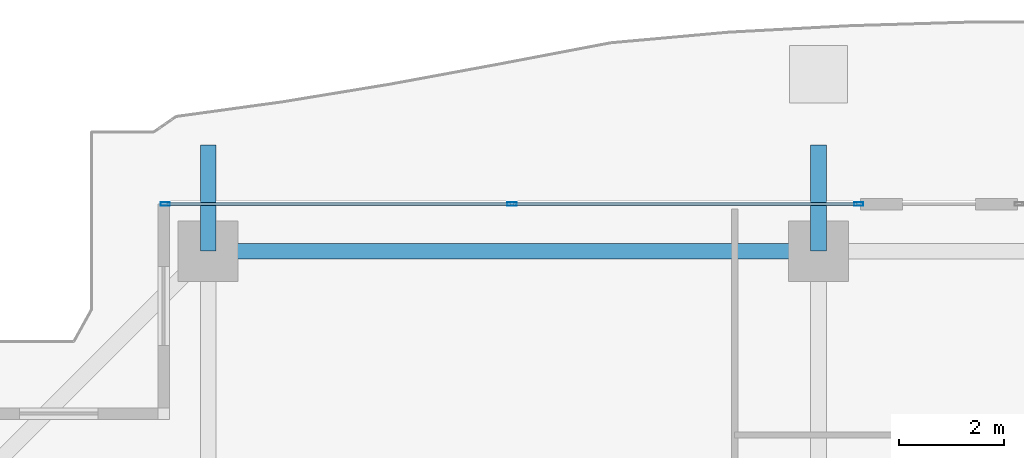
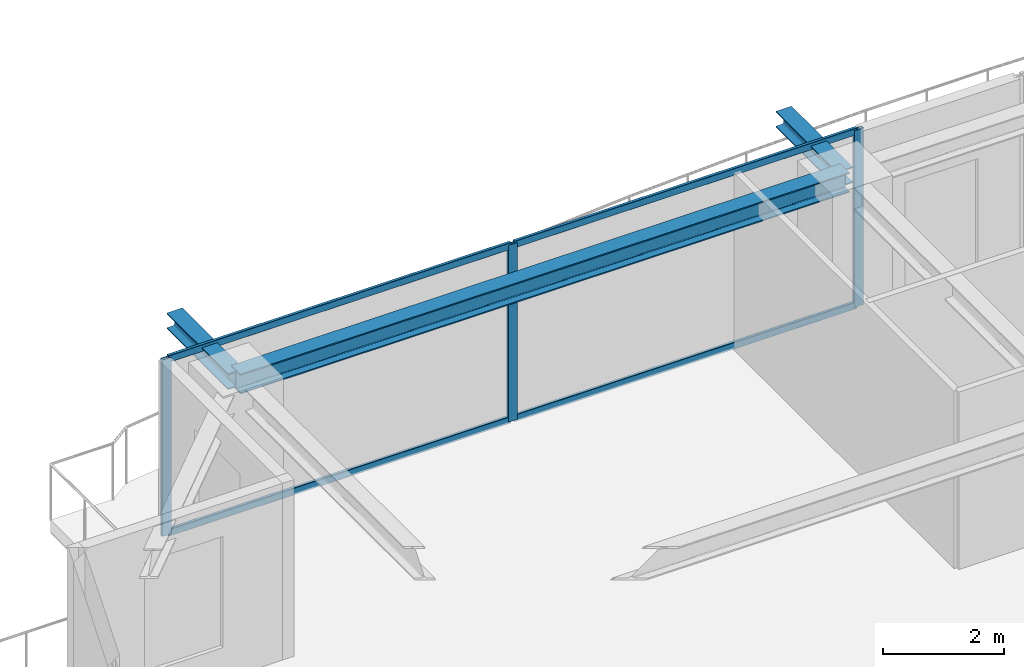
# One storey, part 21 of 40: 7 members, 3 beams, 1 element without a shape of its own.
"""IFC4 building model written with IfcOpenShell, lengths in metres."""

from ifc_helpers import new_model, si_unit, direction, frame, origin, origin_2d, place, context, subcontext, project, spatial, hollow_rectangle, i_section, extrude, source, transform, mapped, material, layer, layer_set, material_profile, profile_set, type_object, element, aggregate, save


model = new_model("IFC4")

# Units and contexts
model_context = context("Model", 3, precision=1e-05, world=origin(), true_north=direction((0.0, 1.0)))
body_context = subcontext(model_context, "Body", "Model", "MODEL_VIEW")
ifc_project = project(units=[si_unit("LENGTHUNIT", "METRE"), si_unit("AREAUNIT", "SQUARE_METRE"), si_unit("VOLUMEUNIT", "CUBIC_METRE"), si_unit("PLANEANGLEUNIT", "RADIAN"), si_unit("MASSUNIT", "GRAM", prefix="KILO")], contexts=[model_context])

# Site, building, storey
site_placement = place(None, origin())
site = spatial("IfcSite", under=ifc_project, at=site_placement, CompositionType="ELEMENT")
building_placement = place(site_placement, origin())
building = spatial("IfcBuilding", under=site, at=building_placement, Name="Serunith Strait Residences", CompositionType="ELEMENT")
storey_placement = place(building_placement, frame((0.0, 0.0, 252.800048828125)))
storey = spatial("IfcBuildingStorey", under=building, at=storey_placement, Name="L63", CompositionType="ELEMENT", Elevation=252.800048828125)

# Beams
ifc_material_1 = material(Name="Steel S355J2", Category="steel")
ifc_material_profile_1 = material_profile(ifc_material_1, i_section(OverallWidth=0.300048828125, OverallDepth=0.39990234375, WebThickness=0.013427734375, FlangeThickness=0.02392578125, FilletRadius=0.027099609375, at=origin_2d()), Name="HEB 400")
ifc_profile_set_1 = profile_set([ifc_material_profile_1], Name="Steel S355J2")
beam_type_1 = type_object("IfcBeamType", Name="BM-HEB400", PredefinedType="BEAM", material=ifc_profile_set_1)
shared_shape_1 = source(origin(), body_context, "Body", "SweptSolid", [
    extrude(i_section(OverallWidth=0.300048828125, OverallDepth=0.39990234375, WebThickness=0.013427734375, FlangeThickness=0.02392578125, FilletRadius=0.027099609375, at=origin_2d()), origin(), (0.0, 0.0, 1.0), 11.64990234375),
])
beam_placement = place(storey_placement, frame((27.89990234375, 48.300048828125, 3.386962890625), z_axis=(-1.0, 0.0, 0.0), x_axis=(0.0, -1.0, 0.0)))
element("IfcBeam", 1, at=beam_placement, inside=storey, type_object=beam_type_1, Name="L63 Perimeter Ring Beam 11", PredefinedType="BEAM", context=body_context, shape_type="MappedRepresentation", body=[
    mapped(shared_shape_1, transform((0.0, 0.0, 0.0), scale=1.0)),
])
ifc_material_profile_2 = material_profile(ifc_material_1, i_section(OverallWidth=0.300048828125, OverallDepth=0.320068359375, WebThickness=0.011474609375, FlangeThickness=0.0205078125, FilletRadius=0.027099609375, at=origin_2d()), Name="HEB 320")
ifc_profile_set_2 = profile_set([ifc_material_profile_2], Name="Steel S355J2")
beam_type_2 = type_object("IfcBeamType", Name="BM-HEB320", PredefinedType="BEAM", material=ifc_profile_set_2)
shared_shape_2 = source(origin(), body_context, "Body", "SweptSolid", [
    extrude(i_section(OverallWidth=0.300048828125, OverallDepth=0.320068359375, WebThickness=0.011474609375, FlangeThickness=0.0205078125, FilletRadius=0.027099609375, at=origin_2d()), origin(), (0.0, 0.0, 1.0), 2.030029296875),
])
for number, where, z_axis, x_axis, name in (
    (2, (16.25, 48.300048828125, 3.39697265625), (0.0, 1.0, 0.0), (-1.0, 0.0, 0.0), "L64 Cantilevered Balcony Rib TC-N1"),
    (3, (27.89990234375, 48.300048828125, 3.39697265625), (0.0, 1.0, 0.0), (-1.0, 0.0, 0.0), "L64 Cantilevered Balcony Rib TC-N2"),
):
    element("IfcBeam", number, at=place(storey_placement, frame(where, z_axis=z_axis, x_axis=x_axis)), inside=storey, type_object=beam_type_2, Name=name, PredefinedType="BEAM", context=body_context, shape_type="MappedRepresentation", body=[
        mapped(shared_shape_2, transform((0.0, 0.0, 0.0), scale=1.0)),
    ])

# Curtain wall, members
ifc_material_2 = material(Name="Pale-Champagne Anodised Aluminium", Category="aluminium")
ifc_layer = layer(ifc_material_2, 0.199951171875, Name="Pale-Champagne Anodised Aluminium")
ifc_layer_set = layer_set([ifc_layer], Name="Pale-Champagne Anodised Aluminium")
curtain_wall_type = type_object("IfcCurtainWallType", Name="CW-SYS4", PredefinedType="NOTDEFINED", material=ifc_layer_set)
curtain_wall_placement = place(storey_placement, origin())
curtain_wall = element("IfcCurtainWall", 4, at=curtain_wall_placement, inside=storey, type_object=curtain_wall_type, Name="L63 N Unitised Fritted Curtain Wall", PredefinedType="NOTDEFINED")
ifc_material_profile_3 = material_profile(ifc_material_2, hollow_rectangle(XDim=0.06494140625, YDim=0.179931640625, WallThickness=0.00341796875, InnerFilletRadius=0.00537109375, OuterFilletRadius=0.0087890625, at=origin_2d()), Name="ALU 180x65x3.5")
ifc_profile_set_3 = profile_set([ifc_material_profile_3], Name="Pale-Champagne Anodised Aluminium")
member_type_1 = type_object("IfcMemberType", Name="CW-SYS4-MULL", PredefinedType="MULLION", material=ifc_profile_set_3)
shared_shape_3 = source(origin(), body_context, "Body", "SweptSolid", [
    extrude(hollow_rectangle(XDim=0.06494140625, YDim=0.179931640625, WallThickness=0.00341796875, InnerFilletRadius=0.00537109375, OuterFilletRadius=0.0087890625, at=origin_2d()), origin(), (0.0, 0.0, 1.0), 3.574951171875),
])
member_1_placement = place(storey_placement, frame((28.66748046875, 49.199951171875, 0.0), z_axis=(0.0, 0.0, 1.0), x_axis=(0.0, -1.0, 0.0)))
member_1 = element("IfcMember", 5, at=member_1_placement, type_object=member_type_1, Name="CW-4 mullion 1", PredefinedType="MULLION", context=body_context, shape_type="MappedRepresentation", body=[
    mapped(shared_shape_3, transform((0.0, 0.0, 0.0), scale=1.0)),
])
member_2_placement = place(storey_placement, frame((22.050048828125, 49.199951171875, 0.0), z_axis=(0.0, 0.0, 1.0), x_axis=(0.0, -1.0, 0.0)))
member_2 = element("IfcMember", 6, at=member_2_placement, type_object=member_type_1, Name="CW-4 mullion 2", PredefinedType="MULLION", context=body_context, shape_type="MappedRepresentation", body=[
    mapped(shared_shape_3, transform((0.0, 0.0, 0.0), scale=1.0)),
])
member_3_placement = place(storey_placement, frame((15.4326171875, 49.199951171875, 0.0), z_axis=(0.0, 0.0, 1.0), x_axis=(0.0, -1.0, 0.0)))
member_3 = element("IfcMember", 7, at=member_3_placement, type_object=member_type_1, Name="CW-4 mullion 3", PredefinedType="MULLION", context=body_context, shape_type="MappedRepresentation", body=[
    mapped(shared_shape_3, transform((0.0, 0.0, 0.0), scale=1.0)),
])
ifc_material_profile_4 = material_profile(ifc_material_2, hollow_rectangle(XDim=0.06005859375, YDim=0.139892578125, WallThickness=0.00341796875, InnerFilletRadius=0.00537109375, OuterFilletRadius=0.0087890625, at=origin_2d()), Name="ALU 140x60x3.5")
ifc_profile_set_4 = profile_set([ifc_material_profile_4], Name="Pale-Champagne Anodised Aluminium")
member_type_2 = type_object("IfcMemberType", Name="CW-SYS4-TRAN", PredefinedType="USERDEFINED", material=ifc_profile_set_4)
shared_shape_4 = source(origin(), body_context, "Body", "SweptSolid", [
    extrude(hollow_rectangle(XDim=0.06005859375, YDim=0.139892578125, WallThickness=0.00341796875, InnerFilletRadius=0.00537109375, OuterFilletRadius=0.0087890625, at=origin_2d()), origin(), (0.0, 0.0, 1.0), 6.552490234375),
])
member_4_placement = place(storey_placement, frame((28.635009765625, 49.199951171875, 0.030029296875), z_axis=(-1.0, 0.0, 0.0), x_axis=(0.0, -1.0, 0.0)))
member_4 = element("IfcMember", 8, at=member_4_placement, type_object=member_type_2, Name="CW-4 transom 1.1", ObjectType="TRANSOM", PredefinedType="USERDEFINED", context=body_context, shape_type="MappedRepresentation", body=[
    mapped(shared_shape_4, transform((0.0, 0.0, 0.0), scale=1.0)),
])
member_5_placement = place(storey_placement, frame((28.635009765625, 49.199951171875, 3.544921875), z_axis=(-1.0, 0.0, 0.0), x_axis=(0.0, -1.0, 0.0)))
member_5 = element("IfcMember", 9, at=member_5_placement, type_object=member_type_2, Name="CW-4 transom 1.2", ObjectType="TRANSOM", PredefinedType="USERDEFINED", context=body_context, shape_type="MappedRepresentation", body=[
    mapped(shared_shape_4, transform((0.0, 0.0, 0.0), scale=1.0)),
])
member_6_placement = place(storey_placement, frame((22.017578125, 49.199951171875, 0.030029296875), z_axis=(-1.0, 0.0, 0.0), x_axis=(0.0, -1.0, 0.0)))
member_6 = element("IfcMember", 10, at=member_6_placement, type_object=member_type_2, Name="CW-4 transom 2.1", ObjectType="TRANSOM", PredefinedType="USERDEFINED", context=body_context, shape_type="MappedRepresentation", body=[
    mapped(shared_shape_4, transform((0.0, 0.0, 0.0), scale=1.0)),
])
member_7_placement = place(storey_placement, frame((22.017578125, 49.199951171875, 3.544921875), z_axis=(-1.0, 0.0, 0.0), x_axis=(0.0, -1.0, 0.0)))
member_7 = element("IfcMember", 11, at=member_7_placement, type_object=member_type_2, Name="CW-4 transom 2.2", ObjectType="TRANSOM", PredefinedType="USERDEFINED", context=body_context, shape_type="MappedRepresentation", body=[
    mapped(shared_shape_4, transform((0.0, 0.0, 0.0), scale=1.0)),
])
aggregate(curtain_wall, [member_1, member_2, member_3, member_4, member_5, member_6, member_7])

save(model, "model.ifc")
